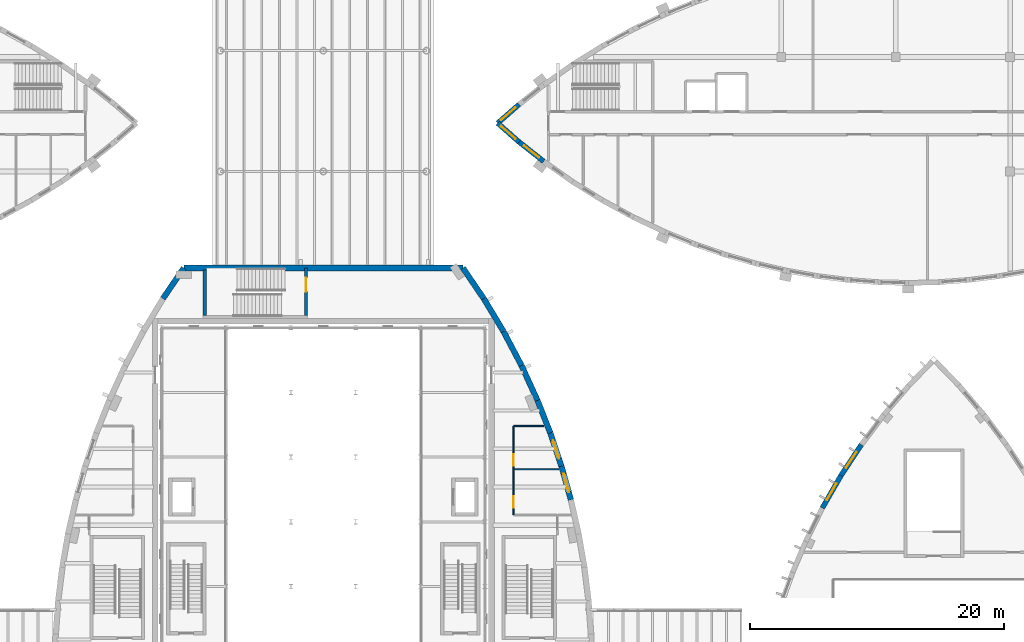
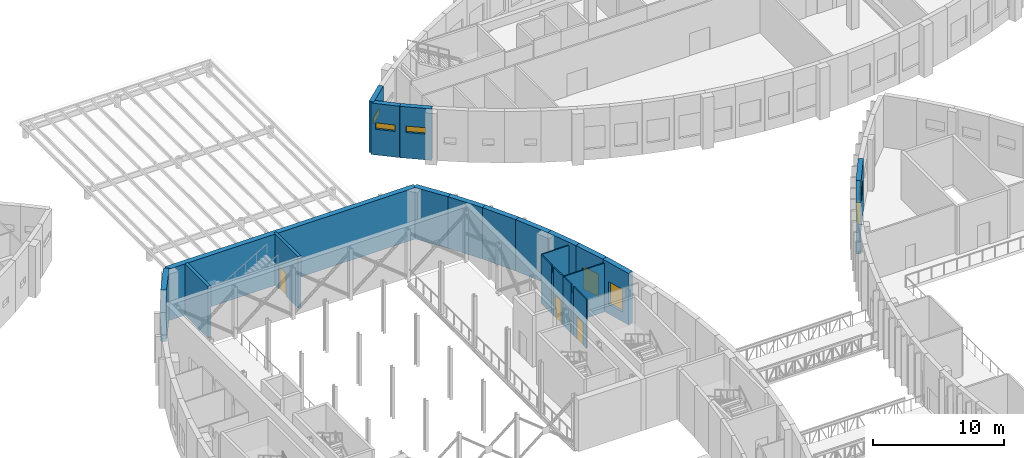
# One storey, part 69 of 93: 24 walls, 7 windows, 3 doors, 10 openings.
"""IFC4 building model written with IfcOpenShell, lengths in metres."""

from ifc_helpers import new_model, si_unit, direction, frame, frame_2d, origin, place, context, subcontext, project, spatial, rectangle, extrude, material, layer, layer_set, type_object, element, fill, save


model = new_model("IFC4")

# Units and contexts
model_context = context("Model", 3, precision=1e-05, world=origin(), true_north=direction((0.0, 1.0)))
body_context = subcontext(model_context, "Body", "Model", "MODEL_VIEW")
ifc_project = project(units=[si_unit("LENGTHUNIT", "METRE"), si_unit("AREAUNIT", "SQUARE_METRE"), si_unit("VOLUMEUNIT", "CUBIC_METRE"), si_unit("PLANEANGLEUNIT", "RADIAN"), si_unit("MASSUNIT", "GRAM", prefix="KILO")], contexts=[model_context])

# Site, building, storey
site_placement = place(None, origin())
site = spatial("IfcSite", under=ifc_project, at=site_placement, CompositionType="ELEMENT")
building_placement = place(site_placement, origin())
building = spatial("IfcBuilding", under=site, at=building_placement, Name="Tide Square Theatres", CompositionType="ELEMENT")
storey_placement = place(building_placement, frame((0.0, 0.0, 5.39990234375)))
storey = spatial("IfcBuildingStorey", under=building, at=storey_placement, Name="L01", CompositionType="ELEMENT", Elevation=5.39990234375)

# Wall, opening, door
ifc_material_1 = material(Name="Gypsum board on steel studs", Category="steel")
ifc_layer_1 = layer(ifc_material_1, 0.10009765625)
ifc_layer_set_1 = layer_set([ifc_layer_1], Name="Gypsum board on steel studs")
wall_type_1 = type_object("IfcWallType", Name="Partition 100 thick", PredefinedType="PARTITIONING", material=ifc_layer_set_1)
wall_1_placement = place(storey_placement, frame((98.949951171875, 67.023193359375, 0.0), z_axis=(0.0, 0.0, 1.0), x_axis=(0.0, 1.0, 0.0)))
wall_1 = element("IfcWall", 1, at=wall_1_placement, inside=storey, type_object=wall_type_1, Name="Partition", PredefinedType="PARTITIONING", context=body_context, shape_type="SweptSolid", body=[
    extrude(rectangle(XDim=1.996826171875, YDim=0.10009765625, at=frame_2d((0.99853515625, 0.0))), origin(), (0.0, 0.0, 1.0), 4.550048828125),
])
opening_1_placement = place(wall_1_placement, frame((0.548583984375, 0.0, 0.0)))
opening_1 = element("IfcOpeningElement", 2, at=opening_1_placement, cuts=wall_1, Name="Opening M01-17", PredefinedType="OPENING", context=body_context, shape_type="SweptSolid", body=[
    extrude(rectangle(XDim=0.89990234375, YDim=2.10009765625, at=frame_2d((0.449951171875, 1.050048828125))), frame((0.0, 0.06005859375, 0.0), z_axis=(0.0, -1.0, 0.0), x_axis=(1.0, 0.0, 0.0)), (0.0, 0.0, 1.0), 0.1201171875),
])
ifc_material_2 = material(Name="Hardwood timber", Category="wood")
door_type_1 = type_object("IfcDoorType", Name="Door 900 x 2100 single leaf", OperationType="NOTDEFINED", PredefinedType="DOOR", material=ifc_material_2)
door_1_placement = place(opening_1_placement, frame((0.89990234375, 0.0, 0.0), z_axis=(0.0, 0.0, 1.0), x_axis=(-1.0, 0.0, 0.0)))
door_1 = element("IfcDoor", 3, at=door_1_placement, inside=storey, type_object=door_type_1, Name="Principal Dressing Room 03 door", OperationType="SINGLE_SWING_LEFT", OverallHeight=2.10009765625, OverallWidth=0.89990234375, PredefinedType="DOOR", context=body_context, shape_type="SweptSolid", body=[
    extrude(rectangle(XDim=0.89990234375, YDim=2.10009765625, at=frame_2d((0.449951171875, 1.050048828125))), frame((0.0, 0.02490234375, 0.0), z_axis=(0.0, -1.0, 0.0), x_axis=(1.0, 0.0, 0.0)), (0.0, 0.0, 1.0), 0.050048828125),
])
fill(opening_1, door_1)

# Walls
wall_2_placement = place(storey_placement, frame((98.949951171875, 69.02001953125, 0.0), z_axis=(0.0, 0.0, 1.0), x_axis=(0.0, 1.0, 0.0)))
element("IfcWall", 4, at=wall_2_placement, inside=storey, type_object=wall_type_1, Name="Partition", PredefinedType="PARTITIONING", context=body_context, shape_type="SweptSolid", body=[
    extrude(rectangle(XDim=0.35986328125, YDim=0.10009765625, at=frame_2d((0.179931640625, 0.0))), origin(), (0.0, 0.0, 1.0), 3.920166015625),
])
wall_3_placement = place(storey_placement, frame((98.949951171875, 69.3798828125, 0.0), z_axis=(0.0, 0.0, 1.0), x_axis=(0.0, 1.0, 0.0)))
element("IfcWall", 5, at=wall_3_placement, inside=storey, type_object=wall_type_1, Name="Partition", PredefinedType="PARTITIONING", context=body_context, shape_type="SweptSolid", body=[
    extrude(rectangle(XDim=1.197021484375, YDim=0.10009765625, at=frame_2d((0.5986328125, 0.0))), origin(), (0.0, 0.0, 1.0), 4.550048828125),
])

# Wall, opening, door
wall_4_placement = place(storey_placement, frame((98.949951171875, 70.623046875, 0.0), z_axis=(0.0, 0.0, 1.0), x_axis=(0.0, 1.0, 0.0)))
wall_4 = element("IfcWall", 6, at=wall_4_placement, inside=storey, type_object=wall_type_1, Name="Partition", PredefinedType="PARTITIONING", context=body_context, shape_type="SweptSolid", body=[
    extrude(rectangle(XDim=1.39697265625, YDim=0.10009765625, at=frame_2d((0.698486328125, 0.0))), origin(), (0.0, 0.0, 1.0), 4.550048828125),
])
opening_2_placement = place(wall_4_placement, frame((0.24853515625, 0.0, 0.0)))
opening_2 = element("IfcOpeningElement", 7, at=opening_2_placement, cuts=wall_4, Name="Opening M01-19", PredefinedType="OPENING", context=body_context, shape_type="SweptSolid", body=[
    extrude(rectangle(XDim=0.89990234375, YDim=2.10009765625, at=frame_2d((0.449951171875, 1.050048828125))), frame((0.0, 0.06005859375, 0.0), z_axis=(0.0, -1.0, 0.0), x_axis=(1.0, 0.0, 0.0)), (0.0, 0.0, 1.0), 0.1201171875),
])
door_2_placement = place(opening_2_placement, frame((0.89990234375, 0.0, 0.0), z_axis=(0.0, 0.0, 1.0), x_axis=(-1.0, 0.0, 0.0)))
door_2 = element("IfcDoor", 8, at=door_2_placement, inside=storey, type_object=door_type_1, Name="Principal Dressing Room 04 door", OperationType="SINGLE_SWING_RIGHT", OverallHeight=2.10009765625, OverallWidth=0.89990234375, PredefinedType="DOOR", context=body_context, shape_type="SweptSolid", body=[
    extrude(rectangle(XDim=0.89990234375, YDim=2.10009765625, at=frame_2d((0.449951171875, 1.050048828125))), frame((0.0, 0.02490234375, 0.0), z_axis=(0.0, -1.0, 0.0), x_axis=(1.0, 0.0, 0.0)), (0.0, 0.0, 1.0), 0.050048828125),
])
fill(opening_2, door_2)

# Walls
wall_5_placement = place(storey_placement, frame((98.949951171875, 72.02001953125, 0.0), z_axis=(0.0, 0.0, 1.0), x_axis=(0.0, 1.0, 0.0)))
element("IfcWall", 9, at=wall_5_placement, inside=storey, type_object=wall_type_1, Name="Partition", PredefinedType="PARTITIONING", context=body_context, shape_type="SweptSolid", body=[
    extrude(rectangle(XDim=0.35986328125, YDim=0.10009765625, at=frame_2d((0.179931640625, 0.0))), origin(), (0.0, 0.0, 1.0), 3.920166015625),
])
wall_6_placement = place(storey_placement, frame((98.949951171875, 72.3798828125, 0.0), z_axis=(0.0, 0.0, 1.0), x_axis=(0.0, 1.0, 0.0)))
element("IfcWall", 10, at=wall_6_placement, inside=storey, type_object=wall_type_1, Name="Partition", PredefinedType="PARTITIONING", context=body_context, shape_type="SweptSolid", body=[
    extrude(rectangle(XDim=1.596923828125, YDim=0.10009765625, at=frame_2d((0.79833984375, 0.0))), origin(), (0.0, 0.0, 1.0), 4.550048828125),
])
wall_7_placement = place(storey_placement, frame((98.97998046875, 70.60009765625, 0.0), z_axis=(0.0, 0.0, 1.0), x_axis=(1.0, 0.0, 0.0)))
element("IfcWall", 11, at=wall_7_placement, inside=storey, type_object=wall_type_1, Name="Partition", PredefinedType="PARTITIONING", context=body_context, shape_type="SweptSolid", body=[
    extrude(rectangle(XDim=3.537841796875, YDim=0.10009765625, at=frame_2d((1.76904296875, 0.0))), origin(), (0.0, 0.0, 1.0), 4.550048828125),
])
wall_8_placement = place(storey_placement, frame((98.983154296875, 74.0, 0.0), z_axis=(0.0, 0.0, 1.0), x_axis=(1.0, 0.0, 0.0)))
element("IfcWall", 12, at=wall_8_placement, inside=storey, type_object=wall_type_1, Name="Partition", PredefinedType="PARTITIONING", context=body_context, shape_type="SweptSolid", body=[
    extrude(rectangle(XDim=2.36376953125, YDim=0.10009765625, at=frame_2d((1.181884765625, 0.0))), origin(), (0.0, 0.0, 1.0), 4.550048828125),
])

# Wall, opening, window
ifc_material_3 = material(Name="Concrete C40", Category="concrete")
ifc_layer_2 = layer(ifc_material_3, 0.39990234375)
ifc_layer_set_2 = layer_set([ifc_layer_2], Name="Concrete C40")
wall_type_2 = type_object("IfcWallType", Name="RC curved wall 400 thick", PredefinedType="SOLIDWALL", material=ifc_layer_set_2)
wall_9_placement = place(storey_placement, frame((126.29443359375, 72.5263671875, 0.0), z_axis=(0.0, 0.0, 1.0), x_axis=(-0.550602185206, -0.834767772285, 0.0)))
wall_9 = element("IfcWall", 13, at=wall_9_placement, inside=storey, type_object=wall_type_2, Name="Black Box Theatre perimeter wall", PredefinedType="SOLIDWALL", context=body_context, shape_type="SweptSolid", body=[
    extrude(rectangle(XDim=2.91943359375, YDim=0.39990234375, at=frame_2d((1.459716796875, 0.0))), origin(), (0.0, 0.0, 1.0), 4.800048828125),
])
opening_3_placement = place(wall_9_placement, frame((0.709716796875, 0.0, 2.39990234375)))
opening_3 = element("IfcOpeningElement", 14, at=opening_3_placement, cuts=wall_9, Name="Opening WN-04", PredefinedType="OPENING", context=body_context, shape_type="SweptSolid", body=[
    extrude(rectangle(XDim=1.5, YDim=0.89990234375, at=frame_2d((0.75, 0.449951171875))), frame((0.0, 0.2099609375, 0.0), z_axis=(0.0, -1.0, 0.0), x_axis=(1.0, 0.0, 0.0)), (0.0, 0.0, 1.0), 0.419921875),
])
ifc_material_4 = material(Name="Aluminium with laminated glass", Category="aluminium")
window_type_1 = type_object("IfcWindowType", Name="Window 1500 x 900", PartitioningType="SINGLE_PANEL", PredefinedType="WINDOW", material=ifc_material_4)
window_1_placement = place(opening_3_placement, origin())
window_1 = element("IfcWindow", 15, at=window_1_placement, inside=storey, type_object=window_type_1, Name="Black Box Theatre Lamp Store window", OverallHeight=0.89990234375, OverallWidth=1.5, PartitioningType="SINGLE_PANEL", PredefinedType="WINDOW", context=body_context, shape_type="SweptSolid", body=[
    extrude(rectangle(XDim=1.5, YDim=0.89990234375, at=frame_2d((0.75, 0.449951171875))), frame((0.0, 0.030029296875, 0.0), z_axis=(0.0, -1.0, 0.0), x_axis=(1.0, 0.0, 0.0)), (0.0, 0.0, 1.0), 0.06005859375),
])
fill(opening_3, window_1)

wall_10_placement = place(storey_placement, frame((124.6806640625, 70.0791015625, 0.0), z_axis=(0.0, 0.0, 1.0), x_axis=(-0.498406705095, -0.866943340892, 0.0)))
wall_10 = element("IfcWall", 16, at=wall_10_placement, inside=storey, type_object=wall_type_2, Name="Black Box Theatre perimeter wall", PredefinedType="SOLIDWALL", context=body_context, shape_type="SweptSolid", body=[
    extrude(rectangle(XDim=2.91943359375, YDim=0.39990234375, at=frame_2d((1.459716796875, 0.0))), origin(), (0.0, 0.0, 1.0), 4.800048828125),
])
opening_4_placement = place(wall_10_placement, frame((0.709716796875, 0.0, 2.39990234375)))
opening_4 = element("IfcOpeningElement", 17, at=opening_4_placement, cuts=wall_10, Name="Opening WN-04", PredefinedType="OPENING", context=body_context, shape_type="SweptSolid", body=[
    extrude(rectangle(XDim=1.5, YDim=0.89990234375, at=frame_2d((0.75, 0.449951171875))), frame((0.0, 0.2099609375, 0.0), z_axis=(0.0, -1.0, 0.0), x_axis=(1.0, 0.0, 0.0)), (0.0, 0.0, 1.0), 0.419921875),
])
window_2_placement = place(opening_4_placement, origin())
window_2 = element("IfcWindow", 18, at=window_2_placement, inside=storey, type_object=window_type_1, Name="Black Box Theatre Lamp Store window", OverallHeight=0.89990234375, OverallWidth=1.5, PartitioningType="SINGLE_PANEL", PredefinedType="WINDOW", context=body_context, shape_type="SweptSolid", body=[
    extrude(rectangle(XDim=1.5, YDim=0.89990234375, at=frame_2d((0.75, 0.449951171875))), frame((0.0, 0.030029296875, 0.0), z_axis=(0.0, -1.0, 0.0), x_axis=(1.0, 0.0, 0.0)), (0.0, 0.0, 1.0), 0.06005859375),
])
fill(opening_4, window_2)

wall_11_placement = place(storey_placement, frame((97.703125, 97.800048828125, 0.0), z_axis=(0.0, 0.0, 1.0), x_axis=(0.751212351098, -0.660060605973, 0.0)))
wall_11 = element("IfcWall", 19, at=wall_11_placement, inside=storey, type_object=wall_type_2, Name="Rehearsal Block perimeter wall 000", PredefinedType="SOLIDWALL", context=body_context, shape_type="SweptSolid", body=[
    extrude(rectangle(XDim=2.24169921875, YDim=0.39990234375, at=frame_2d((1.120849609375, 0.0))), origin(), (0.0, 0.0, 1.0), 4.800048828125),
])
opening_5_placement = place(wall_11_placement, frame((0.370849609375, 0.0, 2.39990234375)))
opening_5 = element("IfcOpeningElement", 20, at=opening_5_placement, cuts=wall_11, Name="Opening WN-05", PredefinedType="OPENING", context=body_context, shape_type="SweptSolid", body=[
    extrude(rectangle(XDim=1.5, YDim=0.60009765625, at=frame_2d((0.75, 0.300048828125))), frame((0.0, 0.2099609375, 0.0), z_axis=(0.0, -1.0, 0.0), x_axis=(1.0, 0.0, 0.0)), (0.0, 0.0, 1.0), 0.419921875),
])
ifc_material_5 = material(Name="Aluminium with laminated glass", Category="aluminium")
window_type_2 = type_object("IfcWindowType", Name="Window 1500 x 600", PartitioningType="SINGLE_PANEL", PredefinedType="WINDOW", material=ifc_material_5)
window_3_placement = place(opening_5_placement, origin())
window_3 = element("IfcWindow", 21, at=window_3_placement, inside=storey, type_object=window_type_2, Name="Rehearsal Block window L01-44", OverallHeight=0.60009765625, OverallWidth=1.5, PartitioningType="SINGLE_PANEL", PredefinedType="WINDOW", context=body_context, shape_type="SweptSolid", body=[
    extrude(rectangle(XDim=1.5, YDim=0.60009765625, at=frame_2d((0.75, 0.300048828125))), frame((0.0, 0.030029296875, 0.0), z_axis=(0.0, -1.0, 0.0), x_axis=(1.0, 0.0, 0.0)), (0.0, 0.0, 1.0), 0.06005859375),
])
fill(opening_5, window_3)

wall_12_placement = place(storey_placement, frame((99.38720703125, 96.3203125, 0.0), z_axis=(0.0, 0.0, 1.0), x_axis=(0.784278812541, -0.620408530082, 0.0)))
wall_12 = element("IfcWall", 22, at=wall_12_placement, inside=storey, type_object=wall_type_2, Name="Rehearsal Block perimeter wall 001", PredefinedType="SOLIDWALL", context=body_context, shape_type="SweptSolid", body=[
    extrude(rectangle(XDim=2.464111328125, YDim=0.39990234375, at=frame_2d((1.23193359375, 0.0))), origin(), (0.0, 0.0, 1.0), 4.800048828125),
])
opening_6_placement = place(wall_12_placement, frame((0.48193359375, 0.0, 2.39990234375)))
opening_6 = element("IfcOpeningElement", 23, at=opening_6_placement, cuts=wall_12, Name="Opening WN-05", PredefinedType="OPENING", context=body_context, shape_type="SweptSolid", body=[
    extrude(rectangle(XDim=1.5, YDim=0.60009765625, at=frame_2d((0.75, 0.300048828125))), frame((0.0, 0.2099609375, 0.0), z_axis=(0.0, -1.0, 0.0), x_axis=(1.0, 0.0, 0.0)), (0.0, 0.0, 1.0), 0.419921875),
])
window_4_placement = place(opening_6_placement, origin())
window_4 = element("IfcWindow", 24, at=window_4_placement, inside=storey, type_object=window_type_2, Name="Rehearsal Block window L01-45", OverallHeight=0.60009765625, OverallWidth=1.5, PartitioningType="SINGLE_PANEL", PredefinedType="WINDOW", context=body_context, shape_type="SweptSolid", body=[
    extrude(rectangle(XDim=1.5, YDim=0.60009765625, at=frame_2d((0.75, 0.300048828125))), frame((0.0, 0.030029296875, 0.0), z_axis=(0.0, -1.0, 0.0), x_axis=(1.0, 0.0, 0.0)), (0.0, 0.0, 1.0), 0.06005859375),
])
fill(opening_6, window_4)

wall_13_placement = place(storey_placement, frame((99.38720703125, 99.27978515625, 0.0), z_axis=(0.0, 0.0, 1.0), x_axis=(-0.751212351098, -0.660060605973, 0.0)))
wall_13 = element("IfcWall", 25, at=wall_13_placement, inside=storey, type_object=wall_type_2, Name="Rehearsal Block perimeter wall 055", PredefinedType="SOLIDWALL", context=body_context, shape_type="SweptSolid", body=[
    extrude(rectangle(XDim=2.24169921875, YDim=0.39990234375, at=frame_2d((1.120849609375, 0.0))), origin(), (0.0, 0.0, 1.0), 4.800048828125),
])
opening_7_placement = place(wall_13_placement, frame((0.370849609375, 0.0, 2.39990234375)))
opening_7 = element("IfcOpeningElement", 26, at=opening_7_placement, cuts=wall_13, Name="Opening WN-05", PredefinedType="OPENING", context=body_context, shape_type="SweptSolid", body=[
    extrude(rectangle(XDim=1.5, YDim=0.60009765625, at=frame_2d((0.75, 0.300048828125))), frame((0.0, 0.2099609375, 0.0), z_axis=(0.0, -1.0, 0.0), x_axis=(1.0, 0.0, 0.0)), (0.0, 0.0, 1.0), 0.419921875),
])
window_5_placement = place(opening_7_placement, origin())
window_5 = element("IfcWindow", 27, at=window_5_placement, inside=storey, type_object=window_type_2, Name="Rehearsal Block window L01-90", OverallHeight=0.60009765625, OverallWidth=1.5, PartitioningType="SINGLE_PANEL", PredefinedType="WINDOW", context=body_context, shape_type="SweptSolid", body=[
    extrude(rectangle(XDim=1.5, YDim=0.60009765625, at=frame_2d((0.75, 0.300048828125))), frame((0.0, 0.030029296875, 0.0), z_axis=(0.0, -1.0, 0.0), x_axis=(1.0, 0.0, 0.0)), (0.0, 0.0, 1.0), 0.06005859375),
])
fill(opening_7, window_5)

ifc_material_6 = material(Name="Concrete C40", Category="concrete")
ifc_layer_3 = layer(ifc_material_6, 0.449951171875)
ifc_layer_set_3 = layer_set([ifc_layer_3], Name="Concrete C40")
wall_type_3 = type_object("IfcWallType", Name="RC curved wall 450 thick", PredefinedType="SOLIDWALL", material=ifc_layer_set_3)
wall_14_placement = place(storey_placement, frame((103.4677734375, 68.18798828125, 0.0), z_axis=(0.0, 0.0, 1.0), x_axis=(-0.270008269196, 0.962858003324, 0.0)))
wall_14 = element("IfcWall", 28, at=wall_14_placement, inside=storey, type_object=wall_type_3, Name="Main Theatre perimeter wall", PredefinedType="SOLIDWALL", context=body_context, shape_type="SweptSolid", body=[
    extrude(rectangle(XDim=2.75244140625, YDim=0.449951171875, at=frame_2d((1.376220703125, 0.0))), origin(), (0.0, 0.0, 1.0), 4.800048828125),
])
opening_8_placement = place(wall_14_placement, frame((0.626220703125, 0.0, 0.89990234375)))
opening_8 = element("IfcOpeningElement", 29, at=opening_8_placement, cuts=wall_14, Name="Opening WN-01", PredefinedType="OPENING", context=body_context, shape_type="SweptSolid", body=[
    extrude(rectangle(XDim=1.5, YDim=2.10009765625, at=frame_2d((0.75, 1.050048828125))), frame((0.0, 0.23486328125, 0.0), z_axis=(0.0, -1.0, 0.0), x_axis=(1.0, 0.0, 0.0)), (0.0, 0.0, 1.0), 0.469970703125),
])
ifc_material_7 = material(Name="Aluminium with laminated glass", Category="aluminium")
window_type_3 = type_object("IfcWindowType", Name="Window 1500 x 2100", PartitioningType="SINGLE_PANEL", PredefinedType="WINDOW", material=ifc_material_7)
window_6_placement = place(opening_8_placement, origin())
window_6 = element("IfcWindow", 30, at=window_6_placement, inside=storey, type_object=window_type_3, Name="Main Theatre window", OverallHeight=2.10009765625, OverallWidth=1.5, PartitioningType="SINGLE_PANEL", PredefinedType="WINDOW", context=body_context, shape_type="SweptSolid", body=[
    extrude(rectangle(XDim=1.5, YDim=2.10009765625, at=frame_2d((0.75, 1.050048828125))), frame((0.0, 0.030029296875, 0.0), z_axis=(0.0, -1.0, 0.0), x_axis=(1.0, 0.0, 0.0)), (0.0, 0.0, 1.0), 0.06005859375),
])
fill(opening_8, window_6)

wall_15_placement = place(storey_placement, frame((102.724609375, 70.838134765625, 0.0), z_axis=(0.0, 0.0, 1.0), x_axis=(-0.318887614688, 0.947792534893, 0.0)))
wall_15 = element("IfcWall", 31, at=wall_15_placement, inside=storey, type_object=wall_type_3, Name="Main Theatre perimeter wall", PredefinedType="SOLIDWALL", context=body_context, shape_type="SweptSolid", body=[
    extrude(rectangle(XDim=2.75244140625, YDim=0.449951171875, at=frame_2d((1.376220703125, 0.0))), origin(), (0.0, 0.0, 1.0), 4.800048828125),
])
opening_9_placement = place(wall_15_placement, frame((0.626220703125, 0.0, 0.89990234375)))
opening_9 = element("IfcOpeningElement", 32, at=opening_9_placement, cuts=wall_15, Name="Opening WN-01", PredefinedType="OPENING", context=body_context, shape_type="SweptSolid", body=[
    extrude(rectangle(XDim=1.5, YDim=2.10009765625, at=frame_2d((0.75, 1.050048828125))), frame((0.0, 0.23486328125, 0.0), z_axis=(0.0, -1.0, 0.0), x_axis=(1.0, 0.0, 0.0)), (0.0, 0.0, 1.0), 0.469970703125),
])
window_7_placement = place(opening_9_placement, origin())
window_7 = element("IfcWindow", 33, at=window_7_placement, inside=storey, type_object=window_type_3, Name="Main Theatre window", OverallHeight=2.10009765625, OverallWidth=1.5, PartitioningType="SINGLE_PANEL", PredefinedType="WINDOW", context=body_context, shape_type="SweptSolid", body=[
    extrude(rectangle(XDim=1.5, YDim=2.10009765625, at=frame_2d((0.75, 1.050048828125))), frame((0.0, 0.030029296875, 0.0), z_axis=(0.0, -1.0, 0.0), x_axis=(1.0, 0.0, 0.0)), (0.0, 0.0, 1.0), 0.06005859375),
])
fill(opening_9, window_7)

# Walls
wall_16_placement = place(storey_placement, frame((101.846923828125, 73.44677734375, 0.0), z_axis=(0.0, 0.0, 1.0), x_axis=(-0.366920100653, 0.930252460215, 0.0)))
element("IfcWall", 34, at=wall_16_placement, inside=storey, type_object=wall_type_3, Name="Main Theatre perimeter wall", PredefinedType="SOLIDWALL", context=body_context, shape_type="SweptSolid", body=[
    extrude(rectangle(XDim=2.751953125, YDim=0.449951171875, at=frame_2d((1.3759765625, 0.0))), origin(), (0.0, 0.0, 1.0), 4.800048828125),
])
wall_17_placement = place(storey_placement, frame((100.837158203125, 76.0068359375, 0.0), z_axis=(0.0, 0.0, 1.0), x_axis=(-0.416407051835, 0.909178292296, 0.0)))
element("IfcWall", 35, at=wall_17_placement, inside=storey, type_object=wall_type_3, Name="Main Theatre perimeter wall", PredefinedType="SOLIDWALL", context=body_context, shape_type="SweptSolid", body=[
    extrude(rectangle(XDim=3.021240234375, YDim=0.449951171875, at=frame_2d((1.5107421875, 0.0))), origin(), (0.0, 0.0, 1.0), 4.800048828125),
])
wall_18_placement = place(storey_placement, frame((99.5791015625, 78.753662109375, 0.0), z_axis=(0.0, 0.0, 1.0), x_axis=(-0.466728769487, 0.884400506407, 0.0)))
element("IfcWall", 36, at=wall_18_placement, inside=storey, type_object=wall_type_3, Name="Main Theatre perimeter wall", PredefinedType="SOLIDWALL", context=body_context, shape_type="SweptSolid", body=[
    extrude(rectangle(XDim=3.020751953125, YDim=0.449951171875, at=frame_2d((1.51025390625, 0.0))), origin(), (0.0, 0.0, 1.0), 4.800048828125),
])
wall_19_placement = place(storey_placement, frame((98.169189453125, 81.42529296875, 0.0), z_axis=(0.0, 0.0, 1.0), x_axis=(-0.515636119523, 0.856807675177, 0.0)))
element("IfcWall", 37, at=wall_19_placement, inside=storey, type_object=wall_type_3, Name="Main Theatre perimeter wall", PredefinedType="SOLIDWALL", context=body_context, shape_type="SweptSolid", body=[
    extrude(rectangle(XDim=3.021240234375, YDim=0.449951171875, at=frame_2d((1.5107421875, 0.0))), origin(), (0.0, 0.0, 1.0), 4.800048828125),
])
wall_20_placement = place(storey_placement, frame((96.611328125, 84.013916015625, 0.0), z_axis=(0.0, 0.0, 1.0), x_axis=(-0.5629642644, 0.826481238147, 0.0)))
element("IfcWall", 38, at=wall_20_placement, inside=storey, type_object=wall_type_3, Name="Main Theatre perimeter wall", PredefinedType="SOLIDWALL", context=body_context, shape_type="SweptSolid", body=[
    extrude(rectangle(XDim=2.908203125, YDim=0.449951171875, at=frame_2d((1.4541015625, 0.0))), origin(), (0.0, 0.0, 1.0), 4.800048828125),
])
wall_21_placement = place(storey_placement, frame((94.97412109375, 86.41748046875, 0.0), z_axis=(0.0, 0.0, 1.0), x_axis=(-1.0, 0.0, 0.0)))
element("IfcWall", 39, at=wall_21_placement, inside=storey, type_object=wall_type_3, Name="Main Theatre perimeter wall", PredefinedType="SOLIDWALL", context=body_context, shape_type="SweptSolid", body=[
    extrude(rectangle(XDim=21.9482421875, YDim=0.449951171875, at=frame_2d((10.97412109375, 0.0))), origin(), (0.0, 0.0, 1.0), 4.800048828125),
])
wall_22_placement = place(storey_placement, frame((73.02587890625, 86.41748046875, 0.0), z_axis=(0.0, 0.0, 1.0), x_axis=(-0.5629642644, -0.826481238147, 0.0)))
element("IfcWall", 40, at=wall_22_placement, inside=storey, type_object=wall_type_3, Name="Main Theatre perimeter wall", PredefinedType="SOLIDWALL", context=body_context, shape_type="SweptSolid", body=[
    extrude(rectangle(XDim=2.908203125, YDim=0.449951171875, at=frame_2d((1.4541015625, 0.0))), origin(), (0.0, 0.0, 1.0), 4.800048828125),
])
ifc_material_8 = material(Name="Concrete C40", Category="concrete")
ifc_layer_4 = layer(ifc_material_8, 0.25)
ifc_layer_set_4 = layer_set([ifc_layer_4], Name="Concrete C40")
wall_type_4 = type_object("IfcWallType", Name="RC shear wall 250 thick", PredefinedType="SHEAR", material=ifc_layer_set_4)
wall_23_placement = place(storey_placement, frame((74.675048828125, 82.68994140625, 0.0), z_axis=(0.0, 0.0, 1.0), x_axis=(0.0, 1.0, 0.0)))
element("IfcWall", 41, at=wall_23_placement, inside=storey, type_object=wall_type_4, Name="Main Theatre North Stair shaft wall", PredefinedType="SHEAR", context=body_context, shape_type="SweptSolid", body=[
    extrude(rectangle(XDim=3.550048828125, YDim=0.25, at=frame_2d((1.77490234375, 0.0))), origin(), (0.0, 0.0, 1.0), 4.800048828125),
])

# Wall, opening, door
wall_24_placement = place(storey_placement, frame((82.625, 86.39990234375, 0.0), z_axis=(0.0, 0.0, 1.0), x_axis=(0.0, -1.0, 0.0)))
wall_24 = element("IfcWall", 42, at=wall_24_placement, inside=storey, type_object=wall_type_4, Name="Main Theatre North Stair shaft wall", PredefinedType="SHEAR", context=body_context, shape_type="SweptSolid", body=[
    extrude(rectangle(XDim=3.7099609375, YDim=0.25, at=frame_2d((1.85498046875, 0.0))), origin(), (0.0, 0.0, 1.0), 4.800048828125),
])
opening_10_placement = place(wall_24_placement, frame((0.75, 0.0, 0.0)))
opening_10 = element("IfcOpeningElement", 43, at=opening_10_placement, cuts=wall_24, Name="Opening M01-05", PredefinedType="OPENING", context=body_context, shape_type="SweptSolid", body=[
    extrude(rectangle(XDim=1.10009765625, YDim=2.10009765625, at=frame_2d((0.550048828125, 1.050048828125))), frame((0.0, 0.135009765625, 0.0), z_axis=(0.0, -1.0, 0.0), x_axis=(1.0, 0.0, 0.0)), (0.0, 0.0, 1.0), 0.27001953125),
])
ifc_material_9 = material(Name="Painted steel", Category="steel")
door_type_2 = type_object("IfcDoorType", Name="Door 1100 x 2100 single leaf", OperationType="NOTDEFINED", PredefinedType="DOOR", material=ifc_material_9)
door_3_placement = place(opening_10_placement, origin())
door_3 = element("IfcDoor", 44, at=door_3_placement, inside=storey, type_object=door_type_2, Name="Main Theatre North Stair stair door", OperationType="SINGLE_SWING_RIGHT", OverallHeight=2.10009765625, OverallWidth=1.10009765625, PredefinedType="DOOR", context=body_context, shape_type="SweptSolid", body=[
    extrude(rectangle(XDim=1.10009765625, YDim=2.10009765625, at=frame_2d((0.550048828125, 1.050048828125))), frame((0.0, 0.02490234375, 0.0), z_axis=(0.0, -1.0, 0.0), x_axis=(1.0, 0.0, 0.0)), (0.0, 0.0, 1.0), 0.050048828125),
])
fill(opening_10, door_3)

save(model, "model.ifc")
